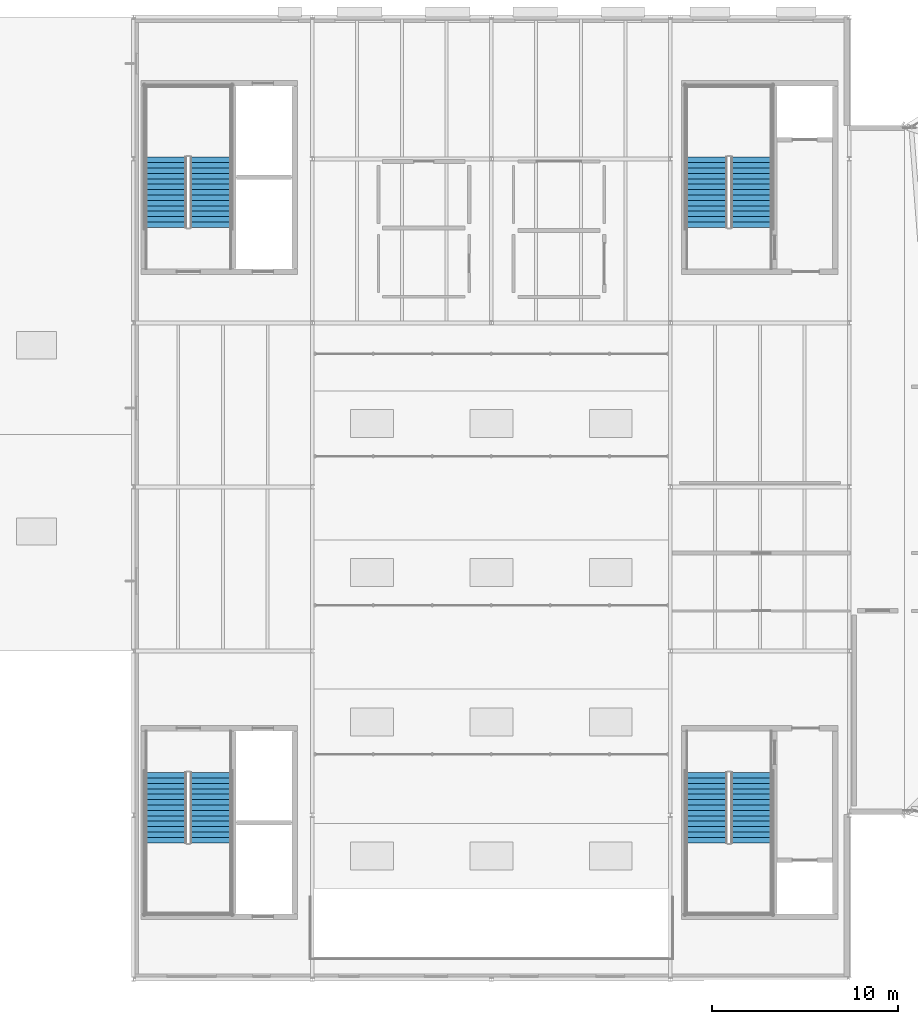
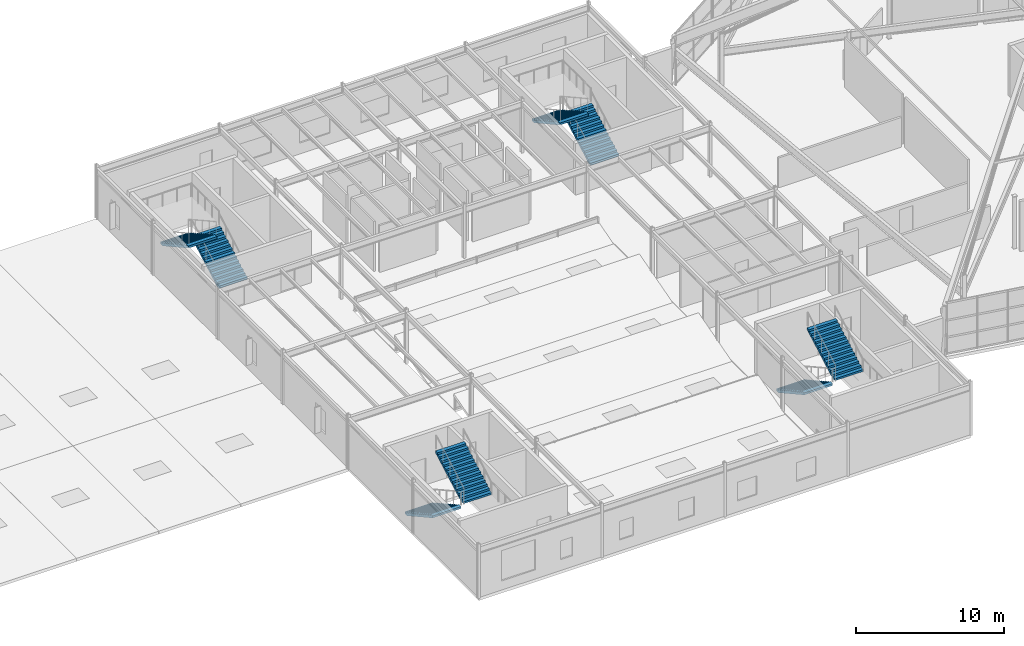
# One storey, part 44 of 50: 8 stair flights, 4 elements without a shape of their own.
"""IFC4 building model written with IfcOpenShell, lengths in metres."""

import ifcopenshell
import ifcopenshell.guid

model = None  # the IFC model being written
_history = None  # IfcOwnerHistory: only IFC2X3 demands one
_inside = {}  # id of a spatial element -> (the spatial element, [elements in it])
_under = {}  # id of a project, library or spatial element -> (it, [spatial elements below it])
_declared = {}  # id of a project -> (the project, [libraries it declares])
_typed = {}  # id of a type object -> (the type object, [elements of that type])
_made_of = {}  # id of a material, layer set ... -> (it, [elements and type objects made of it])


def new_model(schema):
    """Start an empty IFC model of exactly this schema.

    Asked for "IFC4X3", IfcOpenShell would pick the latest addendum, in which some entities
    have other attributes; the version numbers below select the first issue.
    IFC2X3 requires an IfcOwnerHistory on every rooted entity: one is made here for all.
    """
    global model, _history
    if schema == "IFC4X3":
        model = ifcopenshell.file(schema_version=(4, 3, 0, 0))
    else:
        model = ifcopenshell.file(schema=schema)
    _inside.clear()
    _under.clear()
    _declared.clear()
    _typed.clear()
    _made_of.clear()
    _history = None
    if model.schema == "IFC2X3":
        org = make("IfcOrganization", Name="unknown")
        user = make(
            "IfcPersonAndOrganization",
            ThePerson=make("IfcPerson", FamilyName="unknown"),
            TheOrganization=org,
        )
        app = make(
            "IfcApplication",
            ApplicationDeveloper=org,
            Version="unknown",
            ApplicationFullName="unknown",
            ApplicationIdentifier="unknown",
        )
        _history = make(
            "IfcOwnerHistory",
            OwningUser=user,
            OwningApplication=app,
            ChangeAction="ADDED",
            CreationDate=0,
        )
    return model


def make(cls, **values):
    """One entity of the class cls with the attributes given. An attribute that is None is left unset."""
    return model.create_entity(
        cls, **{name: value for name, value in values.items() if value is not None}
    )


def rooted(cls, **values):
    """An entity with a GlobalId (a new one), such as an element, a storey or a relation."""
    return make(cls, GlobalId=ifcopenshell.guid.new(), OwnerHistory=_history, **values)


def si_unit(unit_type, name, prefix=None):
    """IfcSIUnit, for example si_unit("LENGTHUNIT", "METRE", prefix="MILLI")."""
    return make("IfcSIUnit", UnitType=unit_type, Prefix=prefix, Name=name)


def assignment(units):
    """IfcUnitAssignment: the units of a project."""
    return None if units is None else make("IfcUnitAssignment", Units=units)


def point(xyz):
    """IfcCartesianPoint."""
    return None if xyz is None else make("IfcCartesianPoint", Coordinates=xyz)


def direction(xyz):
    """IfcDirection."""
    return None if xyz is None else make("IfcDirection", DirectionRatios=xyz)


def frame(location, z_axis=None, x_axis=None):
    """IfcAxis2Placement3D, a coordinate frame: its origin and axes. An axis left out is left unset."""
    return make(
        "IfcAxis2Placement3D",
        Location=point(location),
        Axis=direction(z_axis),
        RefDirection=direction(x_axis),
    )


def origin():
    """The frame at (0, 0, 0) with its axes left unset."""
    return frame((0.0, 0.0, 0.0))


def place(relative_to, where):
    """IfcLocalPlacement: puts the frame where relative to a parent placement (None: the world)."""
    return make(
        "IfcLocalPlacement", PlacementRelTo=relative_to, RelativePlacement=where
    )


def context(
    kind, dimensions, precision=None, world=None, true_north=None, identifier=None
):
    """IfcGeometricRepresentationContext, for example the 3D "Model" context."""
    return make(
        "IfcGeometricRepresentationContext",
        ContextIdentifier=identifier,
        ContextType=kind,
        CoordinateSpaceDimension=dimensions,
        Precision=precision,
        WorldCoordinateSystem=world,
        TrueNorth=true_north,
    )


def subcontext(parent, identifier, kind, view, scale=None):
    """IfcGeometricRepresentationSubContext, for example "Body" below "Model"."""
    return make(
        "IfcGeometricRepresentationSubContext",
        ContextIdentifier=identifier,
        ContextType=kind,
        ParentContext=parent,
        TargetScale=scale,
        TargetView=view,
    )


def project(units=None, contexts=None):
    """IfcProject with its units and contexts."""
    return rooted(
        "IfcProject",
        Name="project",
        RepresentationContexts=contexts,
        UnitsInContext=assignment(units),
    )


def spatial(cls, under=None, at=None, **own):
    """A site, building, storey or space (cls), placed at a placement, below another one or the project."""
    s = rooted(cls, ObjectPlacement=at, **own)
    if under is not None:
        _under.setdefault(under.id(), (under, []))[1].append(s)
    return s


def polyline(points):
    """IfcPolyline through the points."""
    return make("IfcPolyline", Points=[point(p) for p in points])


def outline(outer, holes=None, kind="AREA"):
    """IfcArbitraryClosedProfileDef: a profile drawn as a closed curve; with holes, ...WithVoids."""
    if holes is None:
        return make("IfcArbitraryClosedProfileDef", ProfileType=kind, OuterCurve=outer)
    return make(
        "IfcArbitraryProfileDefWithVoids",
        ProfileType=kind,
        OuterCurve=outer,
        InnerCurves=holes,
    )


def extrude(swept, where, along, depth):
    """IfcExtrudedAreaSolid: the profile swept, set in the frame where, extruded along a direction by depth."""
    return make(
        "IfcExtrudedAreaSolid",
        SweptArea=swept,
        Position=where,
        ExtrudedDirection=direction(along),
        Depth=depth,
    )


def shape(context_of_items, identifier, shape_type, items):
    """IfcShapeRepresentation: the items that make up one representation, for example the "Body"."""
    return make(
        "IfcShapeRepresentation",
        ContextOfItems=context_of_items,
        RepresentationIdentifier=identifier,
        RepresentationType=shape_type,
        Items=items,
    )


def material(Name=None, Category=None):
    """IfcMaterial."""
    return make("IfcMaterial", Name=Name, Category=Category)


def made_of(thing, what):
    """Note that an element or type object is made of a material, layer set ...; save() writes the relation."""
    if what is not None:
        _made_of.setdefault(what.id(), (what, []))[1].append(thing)
    return thing


def type_object(cls, material=None, **own):
    """A type object (cls), such as IfcWallType, which elements share."""
    return made_of(rooted(cls, **own), material)


def element(
    cls,
    number,
    at=None,
    inside=None,
    cuts=None,
    type_object=None,
    material=None,
    context=None,
    identifier="Body",
    shape_type=None,
    held_by="IfcProductDefinitionShape",
    body=None,
    shapes=None,
    **own,
):
    """One element of the class cls, such as IfcWall. Its Tag is "e" and its number.

    at: its placement. inside: the storey or other place that contains it. cuts: it is an
    opening in that element (IfcRelVoidsElement). A single representation is given by context,
    identifier, shape_type and body (its items); several are given by shapes. held_by: the class
    of the entity that holds the representations. save() writes the other relations.
    """
    e = rooted(cls, Tag="e%d" % number, ObjectPlacement=at, **own)
    if body is not None:
        shapes = [shape(context, identifier, shape_type, body)]
    if shapes is not None:
        e.Representation = make(held_by, Representations=shapes)
    if inside is not None:
        _inside.setdefault(inside.id(), (inside, []))[1].append(e)
    if cuts is not None:
        rooted(
            "IfcRelVoidsElement", RelatingBuildingElement=cuts, RelatedOpeningElement=e
        )
    if type_object is not None:
        _typed.setdefault(type_object.id(), (type_object, []))[1].append(e)
    return made_of(e, material)


def aggregate(whole, parts):
    """IfcRelAggregates: a whole, such as a stair, and the parts it consists of."""
    return rooted("IfcRelAggregates", RelatingObject=whole, RelatedObjects=parts)


def save(model, path):
    """Write the relations noted so far, then the file.

    IfcRelAggregates (storeys below a building ...), IfcRelContainedInSpatialStructure (elements
    in a storey), IfcRelDefinesByType, IfcRelAssociatesMaterial and IfcRelDeclares: one each for
    every whole, place, type object, material and project.
    """
    for whole, parts in _under.values():
        aggregate(whole, parts)
    for where, things in _inside.values():
        rooted(
            "IfcRelContainedInSpatialStructure",
            RelatedElements=things,
            RelatingStructure=where,
        )
    for kind, things in _typed.values():
        rooted("IfcRelDefinesByType", RelatedObjects=things, RelatingType=kind)
    for what, things in _made_of.values():
        rooted("IfcRelAssociatesMaterial", RelatedObjects=things, RelatingMaterial=what)
    for by, libraries in _declared.values():
        rooted("IfcRelDeclares", RelatingContext=by, RelatedDefinitions=libraries)
    model.write(path)


model = new_model("IFC4")

# Units and contexts
model_context = context("Model", 3, precision=1e-05, world=origin(), true_north=direction((0.0, 1.0)))
body_context = subcontext(model_context, "Body", "Model", "MODEL_VIEW")
ifc_project = project(units=[si_unit("LENGTHUNIT", "METRE"), si_unit("AREAUNIT", "SQUARE_METRE"), si_unit("VOLUMEUNIT", "CUBIC_METRE"), si_unit("PLANEANGLEUNIT", "RADIAN"), si_unit("MASSUNIT", "GRAM", prefix="KILO")], contexts=[model_context])

# Site, building, storey
site_placement = place(None, origin())
site = spatial("IfcSite", under=ifc_project, at=site_placement, CompositionType="ELEMENT")
building_placement = place(site_placement, origin())
building = spatial("IfcBuilding", under=site, at=building_placement, Name="Sarnbrook Museum", CompositionType="ELEMENT")
storey_placement = place(building_placement, frame((0.0, 0.0, 28.10009765625)))
storey = spatial("IfcBuildingStorey", under=building, at=storey_placement, Name="L05", CompositionType="ELEMENT", Elevation=28.10009765625)

# Stair, stair flights
ifc_material = material(Name="Concrete N40 (AS 3600, f'c = 40 MPa)", Category="concrete")
stair_type = type_object("IfcStairType", Name="Stair_ST03", PredefinedType="HALF_TURN_STAIR", material=ifc_material)
stair_1_placement = place(storey_placement, origin())
stair_1 = element("IfcStair", 1, at=stair_1_placement, inside=storey, type_object=stair_type, Name="L05 Exit Stair ST1", PredefinedType="HALF_TURN_STAIR")
stair_flight_type = type_object("IfcStairFlightType", Name="StairFlight_SF03", PredefinedType="STRAIGHT", material=ifc_material)
stair_flight_1_placement = place(storey_placement, frame((111.550048828125, 67.8798828125, 0.0), z_axis=(0.0, 0.0, 1.0), x_axis=(0.0, -1.0, 0.0)))
stair_flight_1 = element("IfcStairFlight", 2, at=stair_flight_1_placement, type_object=stair_flight_type, Name="ST1 flight 1", NumberOfRisers=14, NumberOfTreads=13, PredefinedType="STRAIGHT", RiserHeight=0.160714286, TreadLength=0.29, context=body_context, shape_type="SweptSolid", body=[
    extrude(outline(polyline([(0.0, 0.0), (0.0, 0.16064453125), (0.2900390625, 0.16064453125), (0.2900390625, 0.321533203125), (0.580078125, 0.321533203125), (0.580078125, 0.482177734375), (0.8701171875, 0.482177734375), (0.8701171875, 0.642822265625), (1.159912109375, 0.642822265625), (1.159912109375, 0.803466796875), (1.449951171875, 0.803466796875), (1.449951171875, 0.96435546875), (1.739990234375, 0.96435546875), (1.739990234375, 1.125), (2.030029296875, 1.125), (2.030029296875, 1.28564453125), (2.320068359375, 1.28564453125), (2.320068359375, 1.446533203125), (2.610107421875, 1.446533203125), (2.610107421875, 1.607177734375), (2.89990234375, 1.607177734375), (2.89990234375, 1.767822265625), (3.18994140625, 1.767822265625), (3.18994140625, 1.928466796875), (3.47998046875, 1.928466796875), (3.47998046875, 2.08935546875), (3.77001953125, 2.08935546875), (3.77001953125, 2.25), (3.77001953125, 1.91796875), (0.309326171875, 0.0), (0.0, 0.0)])), frame((0.0, 1.10986328125, 0.0), z_axis=(0.0, -1.0, 0.0), x_axis=(1.0, 0.0, 0.0)), (0.0, 0.0, 1.0), 2.219970703125),
])
stair_flight_2_placement = place(storey_placement, frame((113.949951171875, 64.110107421875, 2.25), z_axis=(0.0, 0.0, 1.0), x_axis=(0.0, 1.0, 0.0)))
stair_flight_2 = element("IfcStairFlight", 3, at=stair_flight_2_placement, type_object=stair_flight_type, Name="ST1 flight 2", NumberOfRisers=14, NumberOfTreads=13, PredefinedType="STRAIGHT", RiserHeight=0.160714286, TreadLength=0.29, context=body_context, shape_type="SweptSolid", body=[
    extrude(outline(polyline([(0.0, 0.0), (0.0, 0.16064453125), (0.2900390625, 0.16064453125), (0.2900390625, 0.321533203125), (0.580078125, 0.321533203125), (0.580078125, 0.482177734375), (0.8701171875, 0.482177734375), (0.8701171875, 0.642822265625), (1.159912109375, 0.642822265625), (1.159912109375, 0.803466796875), (1.449951171875, 0.803466796875), (1.449951171875, 0.96435546875), (1.739990234375, 0.96435546875), (1.739990234375, 1.125), (2.030029296875, 1.125), (2.030029296875, 1.28564453125), (2.320068359375, 1.28564453125), (2.320068359375, 1.446533203125), (2.610107421875, 1.446533203125), (2.610107421875, 1.607177734375), (2.89990234375, 1.607177734375), (2.89990234375, 1.767822265625), (3.18994140625, 1.767822265625), (3.18994140625, 1.928466796875), (3.47998046875, 1.928466796875), (3.47998046875, 2.08935546875), (3.77001953125, 2.08935546875), (3.77001953125, 2.25), (3.77001953125, 1.91796875), (0.309326171875, 0.0), (0.0, 0.0)])), frame((0.0, 1.10986328125, 0.0), z_axis=(0.0, -1.0, 0.0), x_axis=(1.0, 0.0, 0.0)), (0.0, 0.0, 1.0), 2.219970703125),
])
aggregate(stair_1, [stair_flight_1, stair_flight_2])

stair_2_placement = place(storey_placement, origin())
stair_2 = element("IfcStair", 4, at=stair_2_placement, inside=storey, type_object=stair_type, Name="L05 Exit Stair ST2", PredefinedType="HALF_TURN_STAIR")
stair_flight_3_placement = place(storey_placement, frame((113.949951171875, 97.1201171875, 0.0), z_axis=(0.0, 0.0, 1.0), x_axis=(0.0, 1.0, 0.0)))
stair_flight_3 = element("IfcStairFlight", 5, at=stair_flight_3_placement, type_object=stair_flight_type, Name="ST2 flight 1", NumberOfRisers=14, NumberOfTreads=13, PredefinedType="STRAIGHT", RiserHeight=0.160714286, TreadLength=0.29, context=body_context, shape_type="SweptSolid", body=[
    extrude(outline(polyline([(0.0, 0.0), (0.0, 0.16064453125), (0.2900390625, 0.16064453125), (0.2900390625, 0.321533203125), (0.580078125, 0.321533203125), (0.580078125, 0.482177734375), (0.8701171875, 0.482177734375), (0.8701171875, 0.642822265625), (1.159912109375, 0.642822265625), (1.159912109375, 0.803466796875), (1.449951171875, 0.803466796875), (1.449951171875, 0.96435546875), (1.739990234375, 0.96435546875), (1.739990234375, 1.125), (2.030029296875, 1.125), (2.030029296875, 1.28564453125), (2.320068359375, 1.28564453125), (2.320068359375, 1.446533203125), (2.610107421875, 1.446533203125), (2.610107421875, 1.607177734375), (2.89990234375, 1.607177734375), (2.89990234375, 1.767822265625), (3.18994140625, 1.767822265625), (3.18994140625, 1.928466796875), (3.47998046875, 1.928466796875), (3.47998046875, 2.08935546875), (3.77001953125, 2.08935546875), (3.77001953125, 2.25), (3.77001953125, 1.91796875), (0.309326171875, 0.0), (0.0, 0.0)])), frame((0.0, 1.10986328125, 0.0), z_axis=(0.0, -1.0, 0.0), x_axis=(1.0, 0.0, 0.0)), (0.0, 0.0, 1.0), 2.219970703125),
])
stair_flight_4_placement = place(storey_placement, frame((111.550048828125, 100.889892578125, 2.25), z_axis=(0.0, 0.0, 1.0), x_axis=(0.0, -1.0, 0.0)))
stair_flight_4 = element("IfcStairFlight", 6, at=stair_flight_4_placement, type_object=stair_flight_type, Name="ST2 flight 2", NumberOfRisers=14, NumberOfTreads=13, PredefinedType="STRAIGHT", RiserHeight=0.160714286, TreadLength=0.29, context=body_context, shape_type="SweptSolid", body=[
    extrude(outline(polyline([(0.0, 0.0), (0.0, 0.16064453125), (0.2900390625, 0.16064453125), (0.2900390625, 0.321533203125), (0.580078125, 0.321533203125), (0.580078125, 0.482177734375), (0.8701171875, 0.482177734375), (0.8701171875, 0.642822265625), (1.159912109375, 0.642822265625), (1.159912109375, 0.803466796875), (1.449951171875, 0.803466796875), (1.449951171875, 0.96435546875), (1.739990234375, 0.96435546875), (1.739990234375, 1.125), (2.030029296875, 1.125), (2.030029296875, 1.28564453125), (2.320068359375, 1.28564453125), (2.320068359375, 1.446533203125), (2.610107421875, 1.446533203125), (2.610107421875, 1.607177734375), (2.89990234375, 1.607177734375), (2.89990234375, 1.767822265625), (3.18994140625, 1.767822265625), (3.18994140625, 1.928466796875), (3.47998046875, 1.928466796875), (3.47998046875, 2.08935546875), (3.77001953125, 2.08935546875), (3.77001953125, 2.25), (3.77001953125, 1.91796875), (0.309326171875, 0.0), (0.0, 0.0)])), frame((0.0, 1.10986328125, 0.0), z_axis=(0.0, -1.0, 0.0), x_axis=(1.0, 0.0, 0.0)), (0.0, 0.0, 1.0), 2.219970703125),
])
aggregate(stair_2, [stair_flight_3, stair_flight_4])

stair_3_placement = place(storey_placement, origin())
stair_3 = element("IfcStair", 7, at=stair_3_placement, inside=storey, type_object=stair_type, Name="L05 Exit Stair ST3", PredefinedType="HALF_TURN_STAIR")
stair_flight_5_placement = place(storey_placement, frame((82.550048828125, 67.8798828125, 0.0), z_axis=(0.0, 0.0, 1.0), x_axis=(0.0, -1.0, 0.0)))
stair_flight_5 = element("IfcStairFlight", 8, at=stair_flight_5_placement, type_object=stair_flight_type, Name="ST3 flight 1", NumberOfRisers=14, NumberOfTreads=13, PredefinedType="STRAIGHT", RiserHeight=0.160714286, TreadLength=0.29, context=body_context, shape_type="SweptSolid", body=[
    extrude(outline(polyline([(0.0, 0.0), (0.0, 0.16064453125), (0.2900390625, 0.16064453125), (0.2900390625, 0.321533203125), (0.580078125, 0.321533203125), (0.580078125, 0.482177734375), (0.8701171875, 0.482177734375), (0.8701171875, 0.642822265625), (1.159912109375, 0.642822265625), (1.159912109375, 0.803466796875), (1.449951171875, 0.803466796875), (1.449951171875, 0.96435546875), (1.739990234375, 0.96435546875), (1.739990234375, 1.125), (2.030029296875, 1.125), (2.030029296875, 1.28564453125), (2.320068359375, 1.28564453125), (2.320068359375, 1.446533203125), (2.610107421875, 1.446533203125), (2.610107421875, 1.607177734375), (2.89990234375, 1.607177734375), (2.89990234375, 1.767822265625), (3.18994140625, 1.767822265625), (3.18994140625, 1.928466796875), (3.47998046875, 1.928466796875), (3.47998046875, 2.08935546875), (3.77001953125, 2.08935546875), (3.77001953125, 2.25), (3.77001953125, 1.91796875), (0.309326171875, 0.0), (0.0, 0.0)])), frame((0.0, 1.10986328125, 0.0), z_axis=(0.0, -1.0, 0.0), x_axis=(1.0, 0.0, 0.0)), (0.0, 0.0, 1.0), 2.219970703125),
])
stair_flight_6_placement = place(storey_placement, frame((84.949951171875, 64.110107421875, 2.25), z_axis=(0.0, 0.0, 1.0), x_axis=(0.0, 1.0, 0.0)))
stair_flight_6 = element("IfcStairFlight", 9, at=stair_flight_6_placement, type_object=stair_flight_type, Name="ST3 flight 2", NumberOfRisers=14, NumberOfTreads=13, PredefinedType="STRAIGHT", RiserHeight=0.160714286, TreadLength=0.29, context=body_context, shape_type="SweptSolid", body=[
    extrude(outline(polyline([(0.0, 0.0), (0.0, 0.16064453125), (0.2900390625, 0.16064453125), (0.2900390625, 0.321533203125), (0.580078125, 0.321533203125), (0.580078125, 0.482177734375), (0.8701171875, 0.482177734375), (0.8701171875, 0.642822265625), (1.159912109375, 0.642822265625), (1.159912109375, 0.803466796875), (1.449951171875, 0.803466796875), (1.449951171875, 0.96435546875), (1.739990234375, 0.96435546875), (1.739990234375, 1.125), (2.030029296875, 1.125), (2.030029296875, 1.28564453125), (2.320068359375, 1.28564453125), (2.320068359375, 1.446533203125), (2.610107421875, 1.446533203125), (2.610107421875, 1.607177734375), (2.89990234375, 1.607177734375), (2.89990234375, 1.767822265625), (3.18994140625, 1.767822265625), (3.18994140625, 1.928466796875), (3.47998046875, 1.928466796875), (3.47998046875, 2.08935546875), (3.77001953125, 2.08935546875), (3.77001953125, 2.25), (3.77001953125, 1.91796875), (0.309326171875, 0.0), (0.0, 0.0)])), frame((0.0, 1.10986328125, 0.0), z_axis=(0.0, -1.0, 0.0), x_axis=(1.0, 0.0, 0.0)), (0.0, 0.0, 1.0), 2.219970703125),
])
aggregate(stair_3, [stair_flight_5, stair_flight_6])

stair_4_placement = place(storey_placement, origin())
stair_4 = element("IfcStair", 10, at=stair_4_placement, inside=storey, type_object=stair_type, Name="L05 Exit Stair ST4", PredefinedType="HALF_TURN_STAIR")
stair_flight_7_placement = place(storey_placement, frame((84.949951171875, 97.1201171875, 0.0), z_axis=(0.0, 0.0, 1.0), x_axis=(0.0, 1.0, 0.0)))
stair_flight_7 = element("IfcStairFlight", 11, at=stair_flight_7_placement, type_object=stair_flight_type, Name="ST4 flight 1", NumberOfRisers=14, NumberOfTreads=13, PredefinedType="STRAIGHT", RiserHeight=0.160714286, TreadLength=0.29, context=body_context, shape_type="SweptSolid", body=[
    extrude(outline(polyline([(0.0, 0.0), (0.0, 0.16064453125), (0.2900390625, 0.16064453125), (0.2900390625, 0.321533203125), (0.580078125, 0.321533203125), (0.580078125, 0.482177734375), (0.8701171875, 0.482177734375), (0.8701171875, 0.642822265625), (1.159912109375, 0.642822265625), (1.159912109375, 0.803466796875), (1.449951171875, 0.803466796875), (1.449951171875, 0.96435546875), (1.739990234375, 0.96435546875), (1.739990234375, 1.125), (2.030029296875, 1.125), (2.030029296875, 1.28564453125), (2.320068359375, 1.28564453125), (2.320068359375, 1.446533203125), (2.610107421875, 1.446533203125), (2.610107421875, 1.607177734375), (2.89990234375, 1.607177734375), (2.89990234375, 1.767822265625), (3.18994140625, 1.767822265625), (3.18994140625, 1.928466796875), (3.47998046875, 1.928466796875), (3.47998046875, 2.08935546875), (3.77001953125, 2.08935546875), (3.77001953125, 2.25), (3.77001953125, 1.91796875), (0.309326171875, 0.0), (0.0, 0.0)])), frame((0.0, 1.10986328125, 0.0), z_axis=(0.0, -1.0, 0.0), x_axis=(1.0, 0.0, 0.0)), (0.0, 0.0, 1.0), 2.219970703125),
])
stair_flight_8_placement = place(storey_placement, frame((82.550048828125, 100.889892578125, 2.25), z_axis=(0.0, 0.0, 1.0), x_axis=(0.0, -1.0, 0.0)))
stair_flight_8 = element("IfcStairFlight", 12, at=stair_flight_8_placement, type_object=stair_flight_type, Name="ST4 flight 2", NumberOfRisers=14, NumberOfTreads=13, PredefinedType="STRAIGHT", RiserHeight=0.160714286, TreadLength=0.29, context=body_context, shape_type="SweptSolid", body=[
    extrude(outline(polyline([(0.0, 0.0), (0.0, 0.16064453125), (0.2900390625, 0.16064453125), (0.2900390625, 0.321533203125), (0.580078125, 0.321533203125), (0.580078125, 0.482177734375), (0.8701171875, 0.482177734375), (0.8701171875, 0.642822265625), (1.159912109375, 0.642822265625), (1.159912109375, 0.803466796875), (1.449951171875, 0.803466796875), (1.449951171875, 0.96435546875), (1.739990234375, 0.96435546875), (1.739990234375, 1.125), (2.030029296875, 1.125), (2.030029296875, 1.28564453125), (2.320068359375, 1.28564453125), (2.320068359375, 1.446533203125), (2.610107421875, 1.446533203125), (2.610107421875, 1.607177734375), (2.89990234375, 1.607177734375), (2.89990234375, 1.767822265625), (3.18994140625, 1.767822265625), (3.18994140625, 1.928466796875), (3.47998046875, 1.928466796875), (3.47998046875, 2.08935546875), (3.77001953125, 2.08935546875), (3.77001953125, 2.25), (3.77001953125, 1.91796875), (0.309326171875, 0.0), (0.0, 0.0)])), frame((0.0, 1.10986328125, 0.0), z_axis=(0.0, -1.0, 0.0), x_axis=(1.0, 0.0, 0.0)), (0.0, 0.0, 1.0), 2.219970703125),
])
aggregate(stair_4, [stair_flight_7, stair_flight_8])

save(model, "model.ifc")
